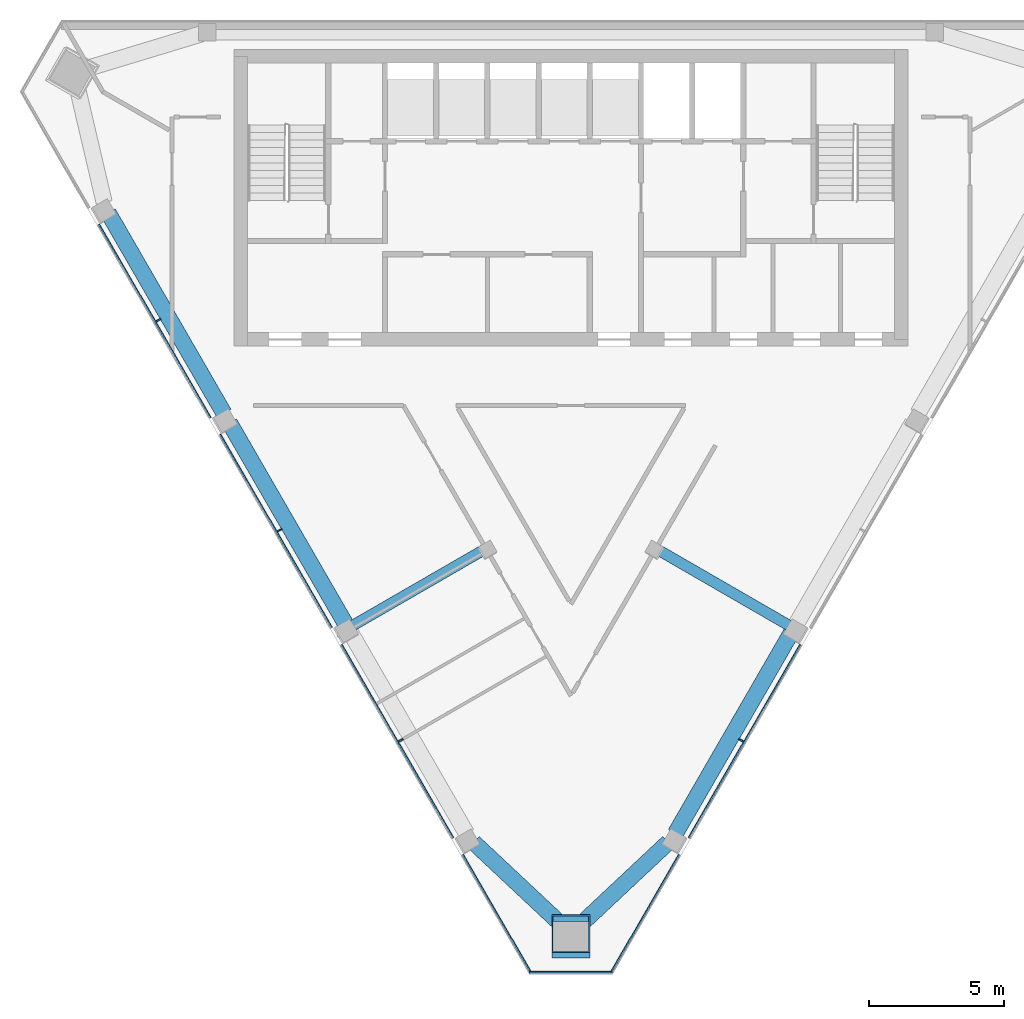
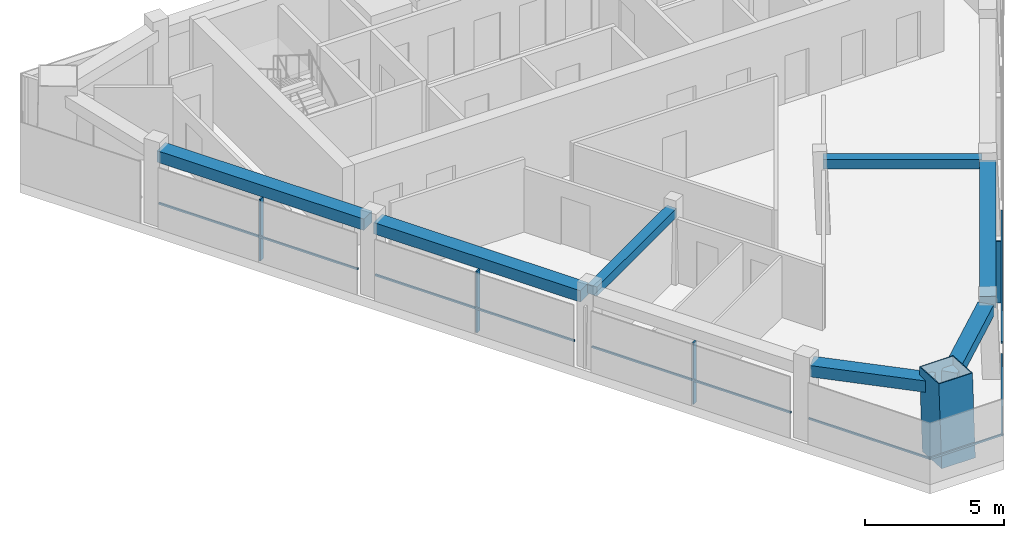
# One storey, part 2 of 9: 12 members, 7 beams, 3 elements without a shape of their own.
"""IFC4 building model written with IfcOpenShell, lengths in metres."""

import ifcopenshell
import ifcopenshell.guid

model = None  # the IFC model being written
_history = None  # IfcOwnerHistory: only IFC2X3 demands one
_inside = {}  # id of a spatial element -> (the spatial element, [elements in it])
_under = {}  # id of a project, library or spatial element -> (it, [spatial elements below it])
_declared = {}  # id of a project -> (the project, [libraries it declares])
_typed = {}  # id of a type object -> (the type object, [elements of that type])
_made_of = {}  # id of a material, layer set ... -> (it, [elements and type objects made of it])


def new_model(schema):
    """Start an empty IFC model of exactly this schema.

    Asked for "IFC4X3", IfcOpenShell would pick the latest addendum, in which some entities
    have other attributes; the version numbers below select the first issue.
    IFC2X3 requires an IfcOwnerHistory on every rooted entity: one is made here for all.
    """
    global model, _history
    if schema == "IFC4X3":
        model = ifcopenshell.file(schema_version=(4, 3, 0, 0))
    else:
        model = ifcopenshell.file(schema=schema)
    _inside.clear()
    _under.clear()
    _declared.clear()
    _typed.clear()
    _made_of.clear()
    _history = None
    if model.schema == "IFC2X3":
        org = make("IfcOrganization", Name="unknown")
        user = make(
            "IfcPersonAndOrganization",
            ThePerson=make("IfcPerson", FamilyName="unknown"),
            TheOrganization=org,
        )
        app = make(
            "IfcApplication",
            ApplicationDeveloper=org,
            Version="unknown",
            ApplicationFullName="unknown",
            ApplicationIdentifier="unknown",
        )
        _history = make(
            "IfcOwnerHistory",
            OwningUser=user,
            OwningApplication=app,
            ChangeAction="ADDED",
            CreationDate=0,
        )
    return model


def make(cls, **values):
    """One entity of the class cls with the attributes given. An attribute that is None is left unset."""
    return model.create_entity(
        cls, **{name: value for name, value in values.items() if value is not None}
    )


def rooted(cls, **values):
    """An entity with a GlobalId (a new one), such as an element, a storey or a relation."""
    return make(cls, GlobalId=ifcopenshell.guid.new(), OwnerHistory=_history, **values)


def si_unit(unit_type, name, prefix=None):
    """IfcSIUnit, for example si_unit("LENGTHUNIT", "METRE", prefix="MILLI")."""
    return make("IfcSIUnit", UnitType=unit_type, Prefix=prefix, Name=name)


def assignment(units):
    """IfcUnitAssignment: the units of a project."""
    return None if units is None else make("IfcUnitAssignment", Units=units)


def point(xyz):
    """IfcCartesianPoint."""
    return None if xyz is None else make("IfcCartesianPoint", Coordinates=xyz)


def direction(xyz):
    """IfcDirection."""
    return None if xyz is None else make("IfcDirection", DirectionRatios=xyz)


def frame(location, z_axis=None, x_axis=None):
    """IfcAxis2Placement3D, a coordinate frame: its origin and axes. An axis left out is left unset."""
    return make(
        "IfcAxis2Placement3D",
        Location=point(location),
        Axis=direction(z_axis),
        RefDirection=direction(x_axis),
    )


def frame_2d(location, x_axis=None):
    """IfcAxis2Placement2D, a coordinate frame in the plane: its origin and x axis."""
    return make(
        "IfcAxis2Placement2D", Location=point(location), RefDirection=direction(x_axis)
    )


def origin():
    """The frame at (0, 0, 0) with its axes left unset."""
    return frame((0.0, 0.0, 0.0))


def origin_2d():
    """The frame at (0, 0) in the plane with its x axis left unset."""
    return frame_2d((0.0, 0.0))


def place(relative_to, where):
    """IfcLocalPlacement: puts the frame where relative to a parent placement (None: the world)."""
    return make(
        "IfcLocalPlacement", PlacementRelTo=relative_to, RelativePlacement=where
    )


def context(
    kind, dimensions, precision=None, world=None, true_north=None, identifier=None
):
    """IfcGeometricRepresentationContext, for example the 3D "Model" context."""
    return make(
        "IfcGeometricRepresentationContext",
        ContextIdentifier=identifier,
        ContextType=kind,
        CoordinateSpaceDimension=dimensions,
        Precision=precision,
        WorldCoordinateSystem=world,
        TrueNorth=true_north,
    )


def subcontext(parent, identifier, kind, view, scale=None):
    """IfcGeometricRepresentationSubContext, for example "Body" below "Model"."""
    return make(
        "IfcGeometricRepresentationSubContext",
        ContextIdentifier=identifier,
        ContextType=kind,
        ParentContext=parent,
        TargetScale=scale,
        TargetView=view,
    )


def project(units=None, contexts=None):
    """IfcProject with its units and contexts."""
    return rooted(
        "IfcProject",
        Name="project",
        RepresentationContexts=contexts,
        UnitsInContext=assignment(units),
    )


def spatial(cls, under=None, at=None, **own):
    """A site, building, storey or space (cls), placed at a placement, below another one or the project."""
    s = rooted(cls, ObjectPlacement=at, **own)
    if under is not None:
        _under.setdefault(under.id(), (under, []))[1].append(s)
    return s


def profile(cls, at=None, kind="AREA", **sizes):
    """A parametric profile (cls). Its sizes go by their IFC names, for example OverallWidth=200.0."""
    return make(cls, ProfileType=kind, Position=at, **sizes)


def rectangle(**sizes):
    """IfcRectangleProfileDef."""
    return profile("IfcRectangleProfileDef", **sizes)


def hollow_rectangle(**sizes):
    """IfcRectangleHollowProfileDef."""
    return profile("IfcRectangleHollowProfileDef", **sizes)


def extrude(swept, where, along, depth):
    """IfcExtrudedAreaSolid: the profile swept, set in the frame where, extruded along a direction by depth."""
    return make(
        "IfcExtrudedAreaSolid",
        SweptArea=swept,
        Position=where,
        ExtrudedDirection=direction(along),
        Depth=depth,
    )


def shape(context_of_items, identifier, shape_type, items):
    """IfcShapeRepresentation: the items that make up one representation, for example the "Body"."""
    return make(
        "IfcShapeRepresentation",
        ContextOfItems=context_of_items,
        RepresentationIdentifier=identifier,
        RepresentationType=shape_type,
        Items=items,
    )


def material(Name=None, Category=None):
    """IfcMaterial."""
    return make("IfcMaterial", Name=Name, Category=Category)


def layer(
    of_material, thickness, ventilated=None, Name=None, Category=None, Priority=None
):
    """IfcMaterialLayer: one layer of a wall or slab, of a material (None: an air gap)."""
    return make(
        "IfcMaterialLayer",
        Material=of_material,
        LayerThickness=thickness,
        IsVentilated=ventilated,
        Name=Name,
        Category=Category,
        Priority=Priority,
    )


def layer_set(layers, Name=None):
    """IfcMaterialLayerSet."""
    return make("IfcMaterialLayerSet", MaterialLayers=layers, LayerSetName=Name)


def material_profile(
    of_material, cross_section, Name=None, Category=None, Priority=None
):
    """IfcMaterialProfile: a cross section and its material."""
    return make(
        "IfcMaterialProfile",
        Name=Name,
        Material=of_material,
        Profile=cross_section,
        Priority=Priority,
        Category=Category,
    )


def profile_set(profiles, Name=None, composite=None):
    """IfcMaterialProfileSet."""
    return make(
        "IfcMaterialProfileSet",
        Name=Name,
        MaterialProfiles=profiles,
        CompositeProfile=composite,
    )


def made_of(thing, what):
    """Note that an element or type object is made of a material, layer set ...; save() writes the relation."""
    if what is not None:
        _made_of.setdefault(what.id(), (what, []))[1].append(thing)
    return thing


def type_object(cls, material=None, **own):
    """A type object (cls), such as IfcWallType, which elements share."""
    return made_of(rooted(cls, **own), material)


def element(
    cls,
    number,
    at=None,
    inside=None,
    cuts=None,
    type_object=None,
    material=None,
    context=None,
    identifier="Body",
    shape_type=None,
    held_by="IfcProductDefinitionShape",
    body=None,
    shapes=None,
    **own,
):
    """One element of the class cls, such as IfcWall. Its Tag is "e" and its number.

    at: its placement. inside: the storey or other place that contains it. cuts: it is an
    opening in that element (IfcRelVoidsElement). A single representation is given by context,
    identifier, shape_type and body (its items); several are given by shapes. held_by: the class
    of the entity that holds the representations. save() writes the other relations.
    """
    e = rooted(cls, Tag="e%d" % number, ObjectPlacement=at, **own)
    if body is not None:
        shapes = [shape(context, identifier, shape_type, body)]
    if shapes is not None:
        e.Representation = make(held_by, Representations=shapes)
    if inside is not None:
        _inside.setdefault(inside.id(), (inside, []))[1].append(e)
    if cuts is not None:
        rooted(
            "IfcRelVoidsElement", RelatingBuildingElement=cuts, RelatedOpeningElement=e
        )
    if type_object is not None:
        _typed.setdefault(type_object.id(), (type_object, []))[1].append(e)
    return made_of(e, material)


def aggregate(whole, parts):
    """IfcRelAggregates: a whole, such as a stair, and the parts it consists of."""
    return rooted("IfcRelAggregates", RelatingObject=whole, RelatedObjects=parts)


def save(model, path):
    """Write the relations noted so far, then the file.

    IfcRelAggregates (storeys below a building ...), IfcRelContainedInSpatialStructure (elements
    in a storey), IfcRelDefinesByType, IfcRelAssociatesMaterial and IfcRelDeclares: one each for
    every whole, place, type object, material and project.
    """
    for whole, parts in _under.values():
        aggregate(whole, parts)
    for where, things in _inside.values():
        rooted(
            "IfcRelContainedInSpatialStructure",
            RelatedElements=things,
            RelatingStructure=where,
        )
    for kind, things in _typed.values():
        rooted("IfcRelDefinesByType", RelatedObjects=things, RelatingType=kind)
    for what, things in _made_of.values():
        rooted("IfcRelAssociatesMaterial", RelatedObjects=things, RelatingMaterial=what)
    for by, libraries in _declared.values():
        rooted("IfcRelDeclares", RelatingContext=by, RelatedDefinitions=libraries)
    model.write(path)


model = new_model("IFC4")

# Units and contexts
model_context = context("Model", 3, precision=1e-05, world=origin(), true_north=direction((0.0, 1.0)))
body_context = subcontext(model_context, "Body", "Model", "MODEL_VIEW")
ifc_project = project(units=[si_unit("LENGTHUNIT", "METRE"), si_unit("AREAUNIT", "SQUARE_METRE"), si_unit("VOLUMEUNIT", "CUBIC_METRE"), si_unit("PLANEANGLEUNIT", "RADIAN"), si_unit("MASSUNIT", "GRAM", prefix="KILO")], contexts=[model_context])

# Site, building, storey
site_placement = place(None, origin())
site = spatial("IfcSite", under=ifc_project, at=site_placement, CompositionType="ELEMENT")
building_placement = place(site_placement, origin())
building = spatial("IfcBuilding", under=site, at=building_placement, Name="Altiplano Prism Tower", CompositionType="ELEMENT")
storey_placement = place(building_placement, frame((0.0, 0.0, 350.800048828125)))
storey = spatial("IfcBuildingStorey", under=building, at=storey_placement, Name="L91", CompositionType="ELEMENT", Elevation=350.800048828125)

# Curtain wall, members
ifc_material_1 = material(Name="Aluminium and glass", Category="aluminium")
ifc_layer = layer(ifc_material_1, 0.303955078125)
ifc_layer_set = layer_set([ifc_layer], Name="Aluminium and glass")
curtain_wall_type = type_object("IfcCurtainWallType", Name="CW2 lounge-band unitised glazing", PredefinedType="NOTDEFINED", material=ifc_layer_set)
curtain_wall_1_placement = place(storey_placement, origin())
curtain_wall_1 = element("IfcCurtainWall", 1, at=curtain_wall_1_placement, inside=storey, type_object=curtain_wall_type, Name="CW2 curtain wall south-west face L91", PredefinedType="NOTDEFINED")
ifc_material_2 = material(Name="Aluminium", Category="aluminium")
ifc_material_profile_1 = material_profile(ifc_material_2, rectangle(XDim=0.199951171875, YDim=0.06005859375, at=origin_2d()), Name="CW2 mullion 60 x 200")
ifc_profile_set_1 = profile_set([ifc_material_profile_1], Name="Aluminium")
member_type_1 = type_object("IfcMemberType", Name="CW2 mullion 60 x 200", PredefinedType="MULLION", material=ifc_profile_set_1)
member_1_placement = place(storey_placement, frame((69.684814453125, 93.857666015625, 0.0), z_axis=(0.0, 0.0, 1.0), x_axis=(0.866025409876, 0.49999998945, 0.0)))
member_1 = element("IfcMember", 2, at=member_1_placement, type_object=member_type_1, Name="CW2 mullion", PredefinedType="MULLION", context=body_context, shape_type="SweptSolid", body=[
    extrude(rectangle(XDim=0.199951171875, YDim=0.06005859375, at=origin_2d()), origin(), (0.0, 0.0, 1.0), 2.699951171875),
])
member_2_placement = place(storey_placement, frame((74.184814453125, 86.0634765625, 0.0), z_axis=(0.0, 0.0, 1.0), x_axis=(0.866025409876, 0.49999998945, 0.0)))
member_2 = element("IfcMember", 3, at=member_2_placement, type_object=member_type_1, Name="CW2 mullion", PredefinedType="MULLION", context=body_context, shape_type="SweptSolid", body=[
    extrude(rectangle(XDim=0.199951171875, YDim=0.06005859375, at=origin_2d()), origin(), (0.0, 0.0, 1.0), 2.699951171875),
])
member_3_placement = place(storey_placement, frame((78.684814453125, 78.269287109375, 0.0), z_axis=(0.0, 0.0, 1.0), x_axis=(0.866025409876, 0.49999998945, 0.0)))
member_3 = element("IfcMember", 4, at=member_3_placement, type_object=member_type_1, Name="CW2 mullion", PredefinedType="MULLION", context=body_context, shape_type="SweptSolid", body=[
    extrude(rectangle(XDim=0.199951171875, YDim=0.06005859375, at=origin_2d()), origin(), (0.0, 0.0, 1.0), 2.699951171875),
])

# Curtain wall, member
curtain_wall_2_placement = place(storey_placement, origin())
curtain_wall_2 = element("IfcCurtainWall", 5, at=curtain_wall_2_placement, inside=storey, type_object=curtain_wall_type, Name="CW2 curtain wall south-east face L91", PredefinedType="NOTDEFINED")
member_4_placement = place(storey_placement, frame((91.315185546875, 78.269287109375, 0.0), z_axis=(0.0, 0.0, 1.0), x_axis=(-0.866025409876, 0.49999998945, 0.0)))
member_4 = element("IfcMember", 6, at=member_4_placement, type_object=member_type_1, Name="CW2 mullion", PredefinedType="MULLION", context=body_context, shape_type="SweptSolid", body=[
    extrude(rectangle(XDim=0.199951171875, YDim=0.06005859375, at=origin_2d()), origin(), (0.0, 0.0, 1.0), 2.699951171875),
])

# Member
ifc_material_profile_2 = material_profile(ifc_material_2, rectangle(XDim=0.06005859375, YDim=0.080078125, at=origin_2d()), Name="CW2 transom 80 x 60")
ifc_profile_set_2 = profile_set([ifc_material_profile_2], Name="Aluminium")
member_type_2 = type_object("IfcMemberType", Name="CW2 transom 80 x 60", PredefinedType="USERDEFINED", material=ifc_profile_set_2)
member_5_placement = place(storey_placement, frame((67.48486328125, 97.407958984375, 1.099853515625), z_axis=(0.499996734306, -0.866027289225, 0.0), x_axis=(0.866027289225, 0.499996734306, 0.0)))
member_5 = element("IfcMember", 7, at=member_5_placement, type_object=member_type_2, Name="CW2 transom", ObjectType="TRANSOM", PredefinedType="USERDEFINED", context=body_context, shape_type="SweptSolid", body=[
    extrude(rectangle(XDim=0.06005859375, YDim=0.080078125, at=origin_2d()), origin(), (0.0, 0.0, 1.0), 8.27001953125),
])

member_6_placement = place(storey_placement, frame((71.98486328125, 89.61376953125, 1.099853515625), z_axis=(0.499996734306, -0.866027289225, 0.0), x_axis=(0.866027289225, 0.499996734306, 0.0)))
member_6 = element("IfcMember", 8, at=member_6_placement, type_object=member_type_2, Name="CW2 transom", ObjectType="TRANSOM", PredefinedType="USERDEFINED", context=body_context, shape_type="SweptSolid", body=[
    extrude(rectangle(XDim=0.06005859375, YDim=0.080078125, at=origin_2d()), origin(), (0.0, 0.0, 1.0), 8.27001953125),
])

member_7_placement = place(storey_placement, frame((76.48486328125, 81.8193359375, 1.099853515625), z_axis=(0.50000951748, -0.866019908795, 0.0), x_axis=(0.866019908795, 0.50000951748, 0.0)))
member_7 = element("IfcMember", 9, at=member_7_placement, type_object=member_type_2, Name="CW2 transom", ObjectType="TRANSOM", PredefinedType="USERDEFINED", context=body_context, shape_type="SweptSolid", body=[
    extrude(rectangle(XDim=0.06005859375, YDim=0.080078125, at=origin_2d()), origin(), (0.0, 0.0, 1.0), 8.269775390625),
])

member_8_placement = place(storey_placement, frame((80.98486328125, 74.025146484375, 1.099853515625), z_axis=(0.500030224502, -0.866007952957, 0.0), x_axis=(0.866007952957, 0.500030224502, 0.0)))
member_8 = element("IfcMember", 10, at=member_8_placement, type_object=member_type_2, Name="CW2 transom", ObjectType="TRANSOM", PredefinedType="USERDEFINED", context=body_context, shape_type="SweptSolid", body=[
    extrude(rectangle(XDim=0.06005859375, YDim=0.080078125, at=origin_2d()), origin(), (0.0, 0.0, 1.0), 5.081298828125),
])

aggregate(curtain_wall_1, [member_1, member_5, member_2, member_6, member_3, member_7, member_8])

# Curtain wall, member
curtain_wall_3_placement = place(storey_placement, origin())
curtain_wall_3 = element("IfcCurtainWall", 11, at=curtain_wall_3_placement, inside=storey, type_object=curtain_wall_type, Name="CW2 curtain wall south chamfer L91", PredefinedType="NOTDEFINED")
member_9_placement = place(storey_placement, frame((83.46142578125, 69.66162109375, 1.099853515625), z_axis=(1.0, 0.0, 0.0), x_axis=(0.0, 1.0, 0.0)))
member_9 = element("IfcMember", 12, at=member_9_placement, type_object=member_type_2, Name="CW2 transom", ObjectType="TRANSOM", PredefinedType="USERDEFINED", context=body_context, shape_type="SweptSolid", body=[
    extrude(rectangle(XDim=0.06005859375, YDim=0.080078125, at=origin_2d()), origin(), (0.0, 0.0, 1.0), 3.0771484375),
])
aggregate(curtain_wall_3, [member_9])

# Member
member_10_placement = place(storey_placement, frame((86.474365234375, 69.624755859375, 1.099853515625), z_axis=(0.500030224502, 0.866007952957, 0.0), x_axis=(-0.866007952957, 0.500030224502, 0.0)))
member_10 = element("IfcMember", 13, at=member_10_placement, type_object=member_type_2, Name="CW2 transom", ObjectType="TRANSOM", PredefinedType="USERDEFINED", context=body_context, shape_type="SweptSolid", body=[
    extrude(rectangle(XDim=0.06005859375, YDim=0.080078125, at=origin_2d()), origin(), (0.0, 0.0, 1.0), 5.081298828125),
])

member_11_placement = place(storey_placement, frame((89.380126953125, 74.657470703125, 1.099853515625), z_axis=(0.50000951748, 0.866019908795, 0.0), x_axis=(-0.866019908795, 0.50000951748, 0.0)))
member_11 = element("IfcMember", 14, at=member_11_placement, type_object=member_type_2, Name="CW2 transom", ObjectType="TRANSOM", PredefinedType="USERDEFINED", context=body_context, shape_type="SweptSolid", body=[
    extrude(rectangle(XDim=0.06005859375, YDim=0.080078125, at=origin_2d()), origin(), (0.0, 0.0, 1.0), 8.269775390625),
])

aggregate(curtain_wall_2, [member_10, member_4, member_11])

# Beams
ifc_material_3 = material(Name="Concrete C60/75", Category="concrete")
ifc_material_profile_3 = material_profile(ifc_material_3, rectangle(XDim=0.60009765625, YDim=0.5, at=origin_2d()), Name="Edge beam 600x500")
ifc_profile_set_3 = profile_set([ifc_material_profile_3], Name="Concrete C60/75")
beam_type_1 = type_object("IfcBeamType", Name="Edge beam 600x500", PredefinedType="SPANDREL", material=ifc_profile_set_3)
for number, where, z_axis, x_axis, name in (
    (15, (67.830322265625, 97.8388671875, 2.949951171875), (0.499990619765, -0.866030819398, 0.0), (0.866030819398, 0.499990619765, 0.0), "Edge beam P11-P12 L92"),
    (16, (72.330322265625, 90.044677734375, 2.949951171875), (0.499990619765, -0.866030819398, 0.0), (0.866030819398, 0.499990619765, 0.0), "Edge beam P12-P13 L92"),
):
    element("IfcBeam", number, at=place(storey_placement, frame(where, z_axis=z_axis, x_axis=x_axis)), inside=storey, type_object=beam_type_1, Name=name, PredefinedType="SPANDREL", context=body_context, shape_type="SweptSolid", body=[
        extrude(rectangle(XDim=0.60009765625, YDim=0.5, at=origin_2d()), origin(), (0.0, 0.0, 1.0), 8.590087890625),
    ])
for number, where, z_axis, x_axis, name in (
    (17, (81.387939453125, 74.4833984375, 2.949951171875), (0.729628549931, -0.683843680329, 0.0), (0.683843680329, 0.729628549931, 0.0), "Edge beam P14-M1 L92"),
    (18, (85.328369140625, 71.40576171875, 2.949951171875), (0.729628549931, 0.683843680329, 0.0), (-0.683843680329, 0.729628549931, 0.0), "Edge beam M1-P21 L92"),
):
    element("IfcBeam", number, at=place(storey_placement, frame(where, z_axis=z_axis, x_axis=x_axis)), inside=storey, type_object=beam_type_1, Name=name, PredefinedType="SPANDREL", context=body_context, shape_type="SweptSolid", body=[
        extrude(rectangle(XDim=0.60009765625, YDim=0.5, at=origin_2d()), origin(), (0.0, 0.0, 1.0), 4.50048828125),
    ])
beam_placement = place(storey_placement, frame((88.874755859375, 74.811279296875, 2.949951171875), z_axis=(0.500002926724, 0.866023714033, 0.0), x_axis=(-0.866023714033, 0.500002926724, 0.0)))
element("IfcBeam", 19, at=beam_placement, inside=storey, type_object=beam_type_1, Name="Edge beam P21-P22 L92", PredefinedType="SPANDREL", context=body_context, shape_type="SweptSolid", body=[
    extrude(rectangle(XDim=0.60009765625, YDim=0.5, at=origin_2d()), origin(), (0.0, 0.0, 1.0), 8.58984375),
])

# Member
ifc_material_4 = material(Name="Steel S460", Category="steel")
ifc_material_profile_4 = material_profile(ifc_material_4, hollow_rectangle(XDim=1.39990234375, YDim=1.39990234375, WallThickness=0.0400390625, at=origin_2d()), Name="Mega column tube 1400")
ifc_profile_set_4 = profile_set([ifc_material_profile_4], Name="Steel S460")
member_type_3 = type_object("IfcMemberType", Name="Mega column tube 1400", PredefinedType="POST", material=ifc_profile_set_4)
member_12_placement = place(storey_placement, frame((85.0, 70.8876953125, 0.0), z_axis=(0.0, 0.058360852261, 0.998295552892), x_axis=(-1.0, 0.0, 0.0)))
element("IfcMember", 20, at=member_12_placement, inside=storey, type_object=member_type_3, Name="Mega column tube M1 L91", PredefinedType="POST", context=body_context, shape_type="SweptSolid", body=[
    extrude(hollow_rectangle(XDim=1.39990234375, YDim=1.39990234375, WallThickness=0.0400390625, at=origin_2d()), origin(), (0.0, 0.0, 1.0), 3.60595703125),
])

# Beams
ifc_material_profile_5 = material_profile(ifc_material_3, rectangle(XDim=0.39990234375, YDim=0.39990234375, at=origin_2d()), Name="Tie beam 400x400")
ifc_profile_set_5 = profile_set([ifc_material_profile_5], Name="Concrete C60/75")
beam_type_2 = type_object("IfcBeamType", Name="Tie beam 400x400", PredefinedType="BEAM", material=ifc_profile_set_5)
for number, where, z_axis, x_axis, name in (
    (21, (81.854736328125, 85.387939453125, 3.0), (-0.866018411832, -0.50001211022, 0.0), (0.50001211022, -0.866018411832, 0.0), "Tie beam I13 L92"),
    (22, (88.145263671875, 85.387939453125, 3.0), (0.866018411832, -0.50001211022, 0.0), (0.50001211022, 0.866018411832, 0.0), "Tie beam I22 L92"),
):
    element("IfcBeam", number, at=place(storey_placement, frame(where, z_axis=z_axis, x_axis=x_axis)), inside=storey, type_object=beam_type_2, Name=name, PredefinedType="BEAM", context=body_context, shape_type="SweptSolid", body=[
        extrude(rectangle(XDim=0.39990234375, YDim=0.39990234375, at=origin_2d()), origin(), (0.0, 0.0, 1.0), 5.715087890625),
    ])

save(model, "model.ifc")
